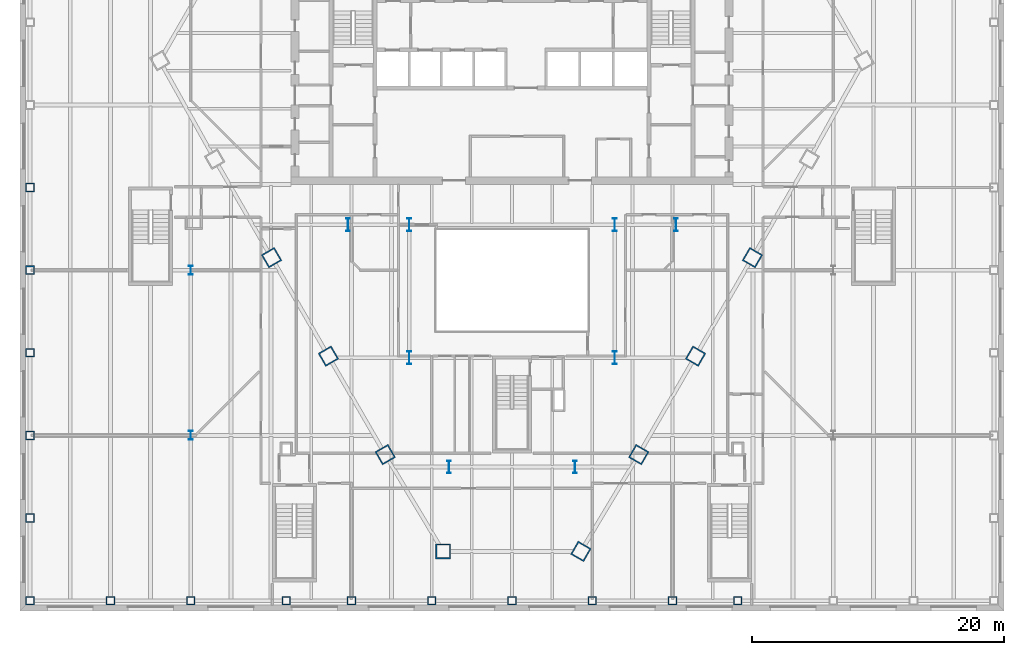
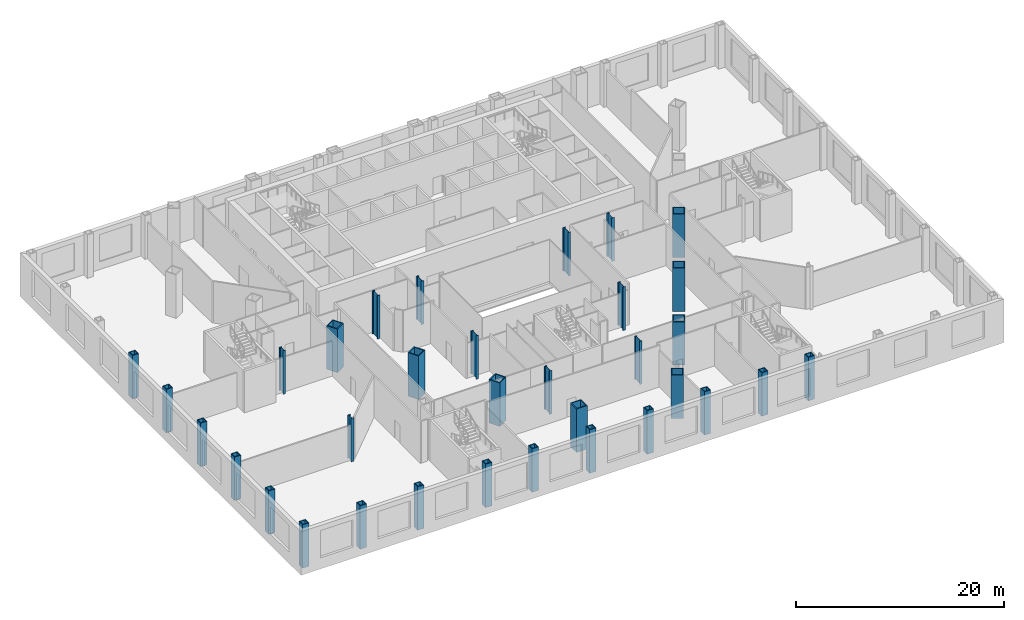
# One storey, part 1 of 20: 33 columns.
"""IFC4 building model written with IfcOpenShell, lengths in metres."""

from ifc_helpers import new_model, si_unit, direction, frame, origin, origin_2d, place, context, subcontext, project, spatial, hollow_rectangle, i_section, extrude, material, material_profile, profile_set, type_object, element, save


model = new_model("IFC4")

# Units and contexts
model_context = context("Model", 3, precision=1e-05, world=origin(), true_north=direction((0.0, 1.0)))
body_context = subcontext(model_context, "Body", "Model", "MODEL_VIEW")
ifc_project = project(units=[si_unit("LENGTHUNIT", "METRE"), si_unit("AREAUNIT", "SQUARE_METRE"), si_unit("VOLUMEUNIT", "CUBIC_METRE"), si_unit("PLANEANGLEUNIT", "RADIAN"), si_unit("MASSUNIT", "GRAM", prefix="KILO")], contexts=[model_context])

# Site, building, storey
site_placement = place(None, origin())
site = spatial("IfcSite", under=ifc_project, at=site_placement, CompositionType="ELEMENT")
building_placement = place(site_placement, origin())
building = spatial("IfcBuilding", under=site, at=building_placement, Name="Njiva Tower", CompositionType="ELEMENT")
storey_placement = place(building_placement, frame((0.0, 0.0, 18.6)))
storey = spatial("IfcBuildingStorey", under=building, at=storey_placement, Name="L03", CompositionType="ELEMENT", Elevation=18.6)

# Columns
ifc_material = material(Name="Steel S355 J2", Category="steel")
ifc_material_profile_1 = material_profile(ifc_material, hollow_rectangle(XDim=1.2, YDim=1.2, WallThickness=0.1, at=origin_2d()), Name="BOX 1200x1200x100")
ifc_profile_set_1 = profile_set([ifc_material_profile_1], Name="Steel S355 J2")
column_type_1 = type_object("IfcColumnType", Name="C1 Mega-column BOX 1200x1200x100", PredefinedType="COLUMN", material=ifc_profile_set_1)
for number, where, z_axis, x_axis, name in (
    (1, (-19.061, -5.807, 0.0), (0.0, 0.0, 1.0), (0.5, -0.866025403784, 0.0), "Mega-column L03-C09"),
    (2, (-14.553, -13.615, 0.0), (0.0, 0.0, 1.0), (0.5, -0.866025403784, 0.0), "Mega-column L03-C10"),
    (3, (-10.046, -21.422, 0.0), (0.0, 0.0, 1.0), (0.5, -0.866025403784, 0.0), "Mega-column L03-C11"),
    (4, (-5.461, -29.096, 0.0), (0.0, 0.0, 1.0), (1.0, 0.0, 0.0), "Mega-column L03-C12"),
    (5, (5.461, -29.096, 0.0), (0.0, 0.0, 1.0), (0.5, 0.866025403784, 0.0), "Mega-column L03-C13"),
    (6, (10.046, -21.422, 0.0), (0.0, 0.0, 1.0), (0.5, 0.866025403784, 0.0), "Mega-column L03-C14"),
    (7, (14.553, -13.615, 0.0), (0.0, 0.0, 1.0), (0.5, 0.866025403784, 0.0), "Mega-column L03-C15"),
    (8, (19.061, -5.807, 0.0), (0.0, 0.0, 1.0), (0.5, 0.866025403784, 0.0), "Mega-column L03-C16"),
):
    element("IfcColumn", number, at=place(storey_placement, frame(where, z_axis=z_axis, x_axis=x_axis)), inside=storey, type_object=column_type_1, Name=name, PredefinedType="COLUMN", context=body_context, shape_type="SweptSolid", body=[
        extrude(hollow_rectangle(XDim=1.2, YDim=1.2, WallThickness=0.1, at=origin_2d()), origin(), (0.0, 0.0, 1.0), 5.1),
    ])
ifc_material_profile_2 = material_profile(ifc_material, i_section(OverallWidth=0.302, OverallDepth=1.008, WebThickness=0.021, FlangeThickness=0.04, at=origin_2d()), Name="HEM 1000")
ifc_profile_set_2 = profile_set([ifc_material_profile_2], Name="Steel S355 J2")
column_type_2 = type_object("IfcColumnType", Name="C2 Interior column HEM 1000", PredefinedType="COLUMN", material=ifc_profile_set_2)
for number, where, z_axis, x_axis, name in (
    (9, (8.15, -3.2, 0.0), (0.0, 0.0, 1.0), (1.0, 0.0, 0.0), "Interior column L03-C19"),
    (10, (-8.15, -3.2, 0.0), (0.0, 0.0, 1.0), (1.0, 0.0, 0.0), "Interior column L03-C20"),
    (11, (8.15, -13.75, 0.0), (0.0, 0.0, 1.0), (1.0, 0.0, 0.0), "Interior column L03-C21"),
    (12, (-8.15, -13.75, 0.0), (0.0, 0.0, 1.0), (1.0, 0.0, 0.0), "Interior column L03-C22"),
    (13, (5.0, -22.4, 0.0), (0.0, 0.0, 1.0), (1.0, 0.0, 0.0), "Interior column L03-C23"),
    (14, (-5.0, -22.4, 0.0), (0.0, 0.0, 1.0), (1.0, 0.0, 0.0), "Interior column L03-C24"),
    (15, (13.0, -3.2, 0.0), (0.0, 0.0, 1.0), (1.0, 0.0, 0.0), "Interior column L03-C25"),
    (16, (-13.0, -3.2, 0.0), (0.0, 0.0, 1.0), (1.0, 0.0, 0.0), "Interior column L03-C26"),
):
    element("IfcColumn", number, at=place(storey_placement, frame(where, z_axis=z_axis, x_axis=x_axis)), inside=storey, type_object=column_type_2, Name=name, PredefinedType="COLUMN", context=body_context, shape_type="SweptSolid", body=[
        extrude(i_section(OverallWidth=0.302, OverallDepth=1.008, WebThickness=0.021, FlangeThickness=0.04, at=origin_2d()), origin(), (0.0, 0.0, 1.0), 5.1),
    ])
ifc_material_profile_3 = material_profile(ifc_material, hollow_rectangle(XDim=0.7, YDim=0.7, WallThickness=0.08, at=origin_2d()), Name="BOX 700x700x80")
ifc_profile_set_3 = profile_set([ifc_material_profile_3], Name="Steel S355 J2")
column_type_3 = type_object("IfcColumnType", Name="C3 Podium perimeter column BOX 700x700x80", PredefinedType="COLUMN", material=ifc_profile_set_3)
for number, where, z_axis, x_axis, name in (
    (17, (-38.2, -0.25, 0.0), (0.0, 0.0, 1.0), (0.0, -1.0, 0.0), "Podium perimeter column L03-C45"),
    (18, (-38.2, -6.8, 0.0), (0.0, 0.0, 1.0), (0.0, -1.0, 0.0), "Podium perimeter column L03-C46"),
    (19, (-38.2, -13.35, 0.0), (0.0, 0.0, 1.0), (0.0, -1.0, 0.0), "Podium perimeter column L03-C47"),
    (20, (-38.2, -19.9, 0.0), (0.0, 0.0, 1.0), (0.0, -1.0, 0.0), "Podium perimeter column L03-C48"),
    (21, (-38.2, -26.45, 0.0), (0.0, 0.0, 1.0), (0.0, -1.0, 0.0), "Podium perimeter column L03-C49"),
    (22, (-38.2, -33.0, 0.0), (0.0, 0.0, 1.0), (1.0, 0.0, 0.0), "Podium perimeter column L03-C50"),
    (23, (-31.833, -33.0, 0.0), (0.0, 0.0, 1.0), (1.0, 0.0, 0.0), "Podium perimeter column L03-C51"),
    (24, (-25.467, -33.0, 0.0), (0.0, 0.0, 1.0), (1.0, 0.0, 0.0), "Podium perimeter column L03-C52"),
    (25, (-17.9, -33.0, 0.0), (0.0, 0.0, 1.0), (1.0, 0.0, 0.0), "Podium perimeter column L03-C53"),
    (26, (-12.733, -33.0, 0.0), (0.0, 0.0, 1.0), (1.0, 0.0, 0.0), "Podium perimeter column L03-C54"),
    (27, (-6.367, -33.0, 0.0), (0.0, 0.0, 1.0), (1.0, 0.0, 0.0), "Podium perimeter column L03-C55"),
    (28, (0.0, -33.0, 0.0), (0.0, 0.0, 1.0), (1.0, 0.0, 0.0), "Podium perimeter column L03-C56"),
    (29, (6.367, -33.0, 0.0), (0.0, 0.0, 1.0), (1.0, 0.0, 0.0), "Podium perimeter column L03-C57"),
    (30, (12.733, -33.0, 0.0), (0.0, 0.0, 1.0), (1.0, 0.0, 0.0), "Podium perimeter column L03-C58"),
    (31, (17.9, -33.0, 0.0), (0.0, 0.0, 1.0), (1.0, 0.0, 0.0), "Podium perimeter column L03-C59"),
):
    element("IfcColumn", number, at=place(storey_placement, frame(where, z_axis=z_axis, x_axis=x_axis)), inside=storey, type_object=column_type_3, Name=name, PredefinedType="COLUMN", context=body_context, shape_type="SweptSolid", body=[
        extrude(hollow_rectangle(XDim=0.7, YDim=0.7, WallThickness=0.08, at=origin_2d()), origin(), (0.0, 0.0, 1.0), 5.1),
    ])
ifc_material_profile_4 = material_profile(ifc_material, i_section(OverallWidth=0.304, OverallDepth=0.716, WebThickness=0.021, FlangeThickness=0.04, at=origin_2d()), Name="HEM 700")
ifc_profile_set_4 = profile_set([ifc_material_profile_4], Name="Steel S355 J2")
column_type_4 = type_object("IfcColumnType", Name="C4 Station column HEM 700", PredefinedType="COLUMN", material=ifc_profile_set_4)
for number, where, z_axis, x_axis, name in (
    (32, (-25.467, -6.8, 0.0), (0.0, 0.0, 1.0), (1.0, 0.0, 0.0), "Station column L03-C62"),
    (33, (-25.467, -19.9, 0.0), (0.0, 0.0, 1.0), (1.0, 0.0, 0.0), "Station column L03-C63"),
):
    element("IfcColumn", number, at=place(storey_placement, frame(where, z_axis=z_axis, x_axis=x_axis)), inside=storey, type_object=column_type_4, Name=name, PredefinedType="COLUMN", context=body_context, shape_type="SweptSolid", body=[
        extrude(i_section(OverallWidth=0.304, OverallDepth=0.716, WebThickness=0.021, FlangeThickness=0.04, at=origin_2d()), origin(), (0.0, 0.0, 1.0), 5.1),
    ])

save(model, "model.ifc")
